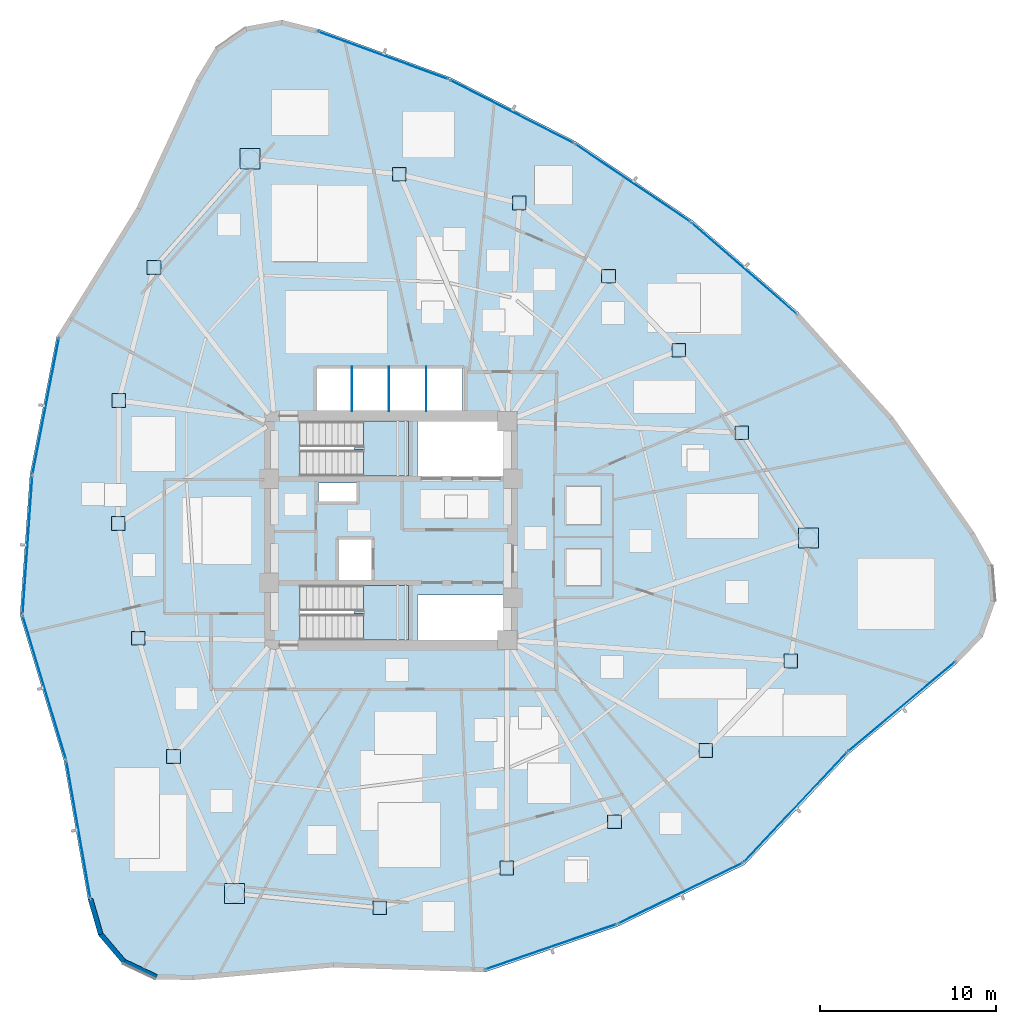
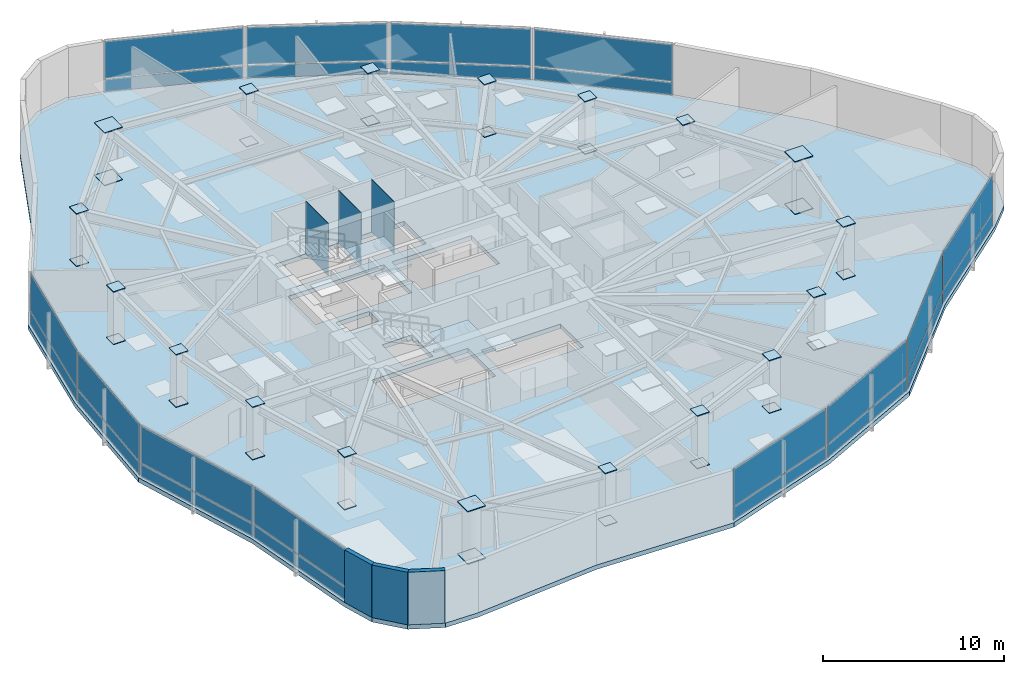
# One storey, part 10 of 17: 63 plates, 3 slabs, 3 walls, 14 elements without a shape of their own.
"""IFC4 building model written with IfcOpenShell, lengths in metres."""

from ifc_helpers import new_model, si_unit, direction, frame, frame_2d, origin, origin_2d, place, context, subcontext, project, spatial, polyline, rectangle, outline, extrude, source, transform, mapped, material, layer, layer_set, type_object, type_shapes, element, aggregate, save


model = new_model("IFC4")

# Units and contexts
model_context = context("Model", 3, precision=1e-05, world=origin(), true_north=direction((0.0, 1.0)))
body_context = subcontext(model_context, "Body", "Model", "MODEL_VIEW")
ifc_project = project(units=[si_unit("LENGTHUNIT", "METRE"), si_unit("AREAUNIT", "SQUARE_METRE"), si_unit("VOLUMEUNIT", "CUBIC_METRE"), si_unit("PLANEANGLEUNIT", "RADIAN"), si_unit("MASSUNIT", "GRAM", prefix="KILO")], contexts=[model_context])

# Site, building, storey
site_placement = place(None, origin())
site = spatial("IfcSite", under=ifc_project, at=site_placement, CompositionType="ELEMENT")
building_placement = place(site_placement, origin())
building = spatial("IfcBuilding", under=site, at=building_placement, Name="Tavelor Broadcast Tower", CompositionType="ELEMENT")
storey_placement = place(building_placement, frame((0.0, 0.0, 127.14990234375)))
storey = spatial("IfcBuildingStorey", under=building, at=storey_placement, Name="L29", CompositionType="ELEMENT", Elevation=127.14990234375)

# Stair, slab
ifc_material_1 = material(Name="Concrete C40/50", Category="concrete")
stair_type = type_object("IfcStairType", Name="Reinforced Concrete Protected Dogleg Stair 1450 mm", PredefinedType="HALF_TURN_STAIR", material=ifc_material_1)
stair_1_placement = place(storey_placement, origin())
stair_1 = element("IfcStair", 1, at=stair_1_placement, inside=storey, type_object=stair_type, Name="L29 Protected Core Exit Stair ST1", PredefinedType="HALF_TURN_STAIR")
ifc_layer_1 = layer(ifc_material_1, 0.199951171875)
ifc_layer_set_1 = layer_set([ifc_layer_1], Name="Concrete C40/50")
slab_type_1 = type_object("IfcSlabType", Name="Reinforced Concrete Stair Half-Landing Slab 200 mm", PredefinedType="LANDING", material=ifc_layer_set_1)
slab_1_placement = place(storey_placement, frame((0.0, 0.0, 1.72509765625)))
slab_1 = element("IfcSlab", 2, at=slab_1_placement, type_object=slab_type_1, Name="ST1 landing 1", PredefinedType="LANDING", context=body_context, shape_type="SweptSolid", body=[
    extrude(outline(polyline([(48.445068359375, 49.590087890625), (48.445068359375, 48.094970703125), (51.0048828125, 48.094970703125), (51.0048828125, 51.205078125), (48.445068359375, 51.205078125), (48.445068359375, 49.7099609375), (47.905029296875, 49.7099609375), (47.905029296875, 49.590087890625), (48.445068359375, 49.590087890625)])), origin(), (0.0, 0.0, 1.0), 0.199951171875),
])
aggregate(stair_1, [slab_1])

stair_2_placement = place(storey_placement, origin())
stair_2 = element("IfcStair", 3, at=stair_2_placement, inside=storey, type_object=stair_type, Name="L29 Protected Core Exit Stair ST2", PredefinedType="HALF_TURN_STAIR")
slab_2_placement = place(storey_placement, frame((0.0, 0.0, 1.72509765625)))
slab_2 = element("IfcSlab", 4, at=slab_2_placement, type_object=slab_type_1, Name="ST2 landing 1", PredefinedType="LANDING", context=body_context, shape_type="SweptSolid", body=[
    extrude(outline(polyline([(48.445068359375, 40.2900390625), (48.445068359375, 38.794921875), (51.0048828125, 38.794921875), (51.0048828125, 41.905029296875), (48.445068359375, 41.905029296875), (48.445068359375, 40.409912109375), (47.905029296875, 40.409912109375), (47.905029296875, 40.2900390625), (48.445068359375, 40.2900390625)])), origin(), (0.0, 0.0, 1.0), 0.199951171875),
])
aggregate(stair_2, [slab_2])

# Slab
ifc_layer_2 = layer(ifc_material_1, 0.300048828125)
ifc_layer_set_2 = layer_set([ifc_layer_2], Name="Concrete C40/50")
slab_type_2 = type_object("IfcSlabType", Name="Tower Composite Floor Slab 300 mm", PredefinedType="FLOOR", material=ifc_layer_set_2)
slab_3_placement = place(storey_placement, frame((0.0, 0.0, -0.2998046875)))
element("IfcSlab", 5, at=slab_3_placement, inside=storey, type_object=slab_type_2, Name="L29 Structural Floor Slab", PredefinedType="FLOOR", context=body_context, shape_type="SweptSolid", body=[
    extrude(outline(polyline([(45.8662109375, 73.4423828125), (43.82958984375, 73.9482421875), (41.765380859375, 73.5712890625), (40.039306640625, 72.378173828125), (38.956787109375, 70.580322265625), (35.596923828125, 63.334228515625), (31.056640625, 56.009033203125), (29.5361328125, 48.168212890625), (28.9755859375, 40.20068359375), (31.465087890625, 31.949951171875), (32.835205078125, 24.081298828125), (33.415283203125, 22.064697265625), (34.77392578125, 20.46533203125), (36.67041015625, 19.56689453125), (38.768310546875, 19.528564453125), (46.723388671875, 20.24169921875), (55.33740234375, 19.972412109375), (62.88818359375, 22.575927734375), (70.068603515625, 26.07421875), (75.968994140625, 32.355712890625), (82.0986328125, 37.4765625), (83.554931640625, 38.9873046875), (84.260498046875, 40.96337890625), (84.090576171875, 43.054931640625), (83.07470703125, 44.89111328125), (78.4794921875, 51.423828125), (73.12744140625, 57.3525390625), (67.09716796875, 62.58984375), (60.4775390625, 67.05908203125), (53.36572265625, 70.6943359375), (45.8662109375, 73.4423828125)]), holes=[polyline([(56.60009765625, 41.35009765625), (56.60009765625, 38.800048828125), (51.52001953125, 38.800048828125), (51.52001953125, 41.35009765625), (56.60009765625, 41.35009765625)]), polyline([(50.99609375, 38.803955078125), (44.85400390625, 38.803955078125), (44.85400390625, 41.89599609375), (50.99609375, 41.89599609375), (50.99609375, 38.803955078125)]), polyline([(47.050048828125, 42.199951171875), (47.050048828125, 44.550048828125), (48.949951171875, 44.550048828125), (48.949951171875, 42.199951171875), (47.050048828125, 42.199951171875)]), polyline([(48.050048828125, 46.64990234375), (45.89990234375, 46.64990234375), (45.89990234375, 47.699951171875), (48.050048828125, 47.699951171875), (48.050048828125, 46.64990234375)]), polyline([(50.99609375, 48.10400390625), (44.85400390625, 48.10400390625), (44.85400390625, 51.196044921875), (50.99609375, 51.196044921875), (50.99609375, 48.10400390625)]), polyline([(56.60009765625, 48.10009765625), (51.52001953125, 48.10009765625), (51.52001953125, 51.199951171875), (56.60009765625, 51.199951171875), (56.60009765625, 48.10009765625)]), polyline([(54.050048828125, 51.800048828125), (45.800048828125, 51.800048828125), (45.800048828125, 54.25), (54.050048828125, 54.25), (54.050048828125, 51.800048828125)])]), origin(), (0.0, 0.0, 1.0), 0.2998046875),
])

# Plates
ifc_material_2 = material(Name="Steel S460", Category="steel")
ifc_layer_3 = layer(ifc_material_2, 0.050048828125)
ifc_layer_set_3 = layer_set([ifc_layer_3], Name="Steel S460")
plate_type_1 = type_object("IfcPlateType", Name="Tube Hollow-End Cap Plate KN05 700x700x50", PredefinedType="USERDEFINED", material=ifc_layer_set_3)
shared_shape_1 = source(origin(), body_context, "Body", "SweptSolid", [
    extrude(rectangle(XDim=1.14697265625, YDim=1.14697265625, at=origin_2d()), origin(), (0.0, 0.0, 1.0), 0.054931640625),
])
for number, where, z_axis, x_axis, name in (
    (6, (42.01123046875, 66.080078125, -0.02734375), (0.0, 0.0, 1.0), (1.0, 0.0, 0.0), "L29 Hollow End Cap Plate KN05 #819"),
    (7, (42.01123046875, 66.080078125, 3.5224609375), (0.0, 0.0, 1.0), (1.0, 0.0, 0.0), "L29 Hollow End Cap Plate KN05 #820"),
    (8, (41.138671875, 24.423828125, -0.02734375), (0.0, 0.0, 1.0), (1.0, 0.0, 0.0), "L29 Hollow End Cap Plate KN05 #831"),
    (9, (41.138671875, 24.423828125, 3.5224609375), (0.0, 0.0, 1.0), (1.0, 0.0, 0.0), "L29 Hollow End Cap Plate KN05 #832"),
    (10, (73.676025390625, 44.57958984375, -0.02734375), (0.0, 0.0, 1.0), (1.0, 0.0, 0.0), "L29 Hollow End Cap Plate KN05 #843"),
    (11, (73.676025390625, 44.57958984375, 3.5224609375), (0.0, 0.0, 1.0), (1.0, 0.0, 0.0), "L29 Hollow End Cap Plate KN05 #844"),
):
    element("IfcPlate", number, at=place(storey_placement, frame(where, z_axis=z_axis, x_axis=x_axis)), inside=storey, type_object=plate_type_1, Name=name, ObjectType="CAP PLATE", PredefinedType="USERDEFINED", context=body_context, shape_type="MappedRepresentation", body=[
        mapped(shared_shape_1, transform((0.0, 0.0, 0.0), scale=1.0)),
    ])
shared_shape_2 = source(origin(), body_context, "Body", "SweptSolid", [
    extrude(rectangle(XDim=0.780029296875, YDim=0.780029296875, at=origin_2d()), origin(), (0.0, 0.0, 1.0), 0.054931640625),
])
type_shapes(plate_type_1, [shared_shape_1, shared_shape_2])
for number, where, z_axis, x_axis, name in (
    (12, (36.567626953125, 59.91064453125, -0.02734375), (0.0, 0.0, 1.0), (1.0, 0.0, 0.0), "L29 Hollow End Cap Plate KN05 #821"),
    (13, (36.567626953125, 59.91064453125, 3.5224609375), (0.0, 0.0, 1.0), (1.0, 0.0, 0.0), "L29 Hollow End Cap Plate KN05 #822"),
    (14, (34.5751953125, 52.37939453125, -0.02734375), (0.0, 0.0, 1.0), (1.0, 0.0, 0.0), "L29 Hollow End Cap Plate KN05 #823"),
    (15, (34.5751953125, 52.37939453125, 3.5224609375), (0.0, 0.0, 1.0), (1.0, 0.0, 0.0), "L29 Hollow End Cap Plate KN05 #824"),
    (16, (34.54638671875, 45.399169921875, -0.02734375), (0.0, 0.0, 1.0), (1.0, 0.0, 0.0), "L29 Hollow End Cap Plate KN05 #825"),
    (17, (34.54638671875, 45.399169921875, 3.5224609375), (0.0, 0.0, 1.0), (1.0, 0.0, 0.0), "L29 Hollow End Cap Plate KN05 #826"),
    (18, (35.680908203125, 38.89990234375, -0.02734375), (0.0, 0.0, 1.0), (1.0, 0.0, 0.0), "L29 Hollow End Cap Plate KN05 #827"),
    (19, (35.680908203125, 38.89990234375, 3.5224609375), (0.0, 0.0, 1.0), (1.0, 0.0, 0.0), "L29 Hollow End Cap Plate KN05 #828"),
    (20, (37.668212890625, 32.1904296875, -0.02734375), (0.0, 0.0, 1.0), (1.0, 0.0, 0.0), "L29 Hollow End Cap Plate KN05 #829"),
    (21, (37.668212890625, 32.1904296875, 3.5224609375), (0.0, 0.0, 1.0), (1.0, 0.0, 0.0), "L29 Hollow End Cap Plate KN05 #830"),
    (22, (49.366455078125, 23.618896484375, -0.02734375), (0.0, 0.0, 1.0), (1.0, 0.0, 0.0), "L29 Hollow End Cap Plate KN05 #833"),
    (23, (49.366455078125, 23.618896484375, 3.5224609375), (0.0, 0.0, 1.0), (1.0, 0.0, 0.0), "L29 Hollow End Cap Plate KN05 #834"),
    (24, (56.56103515625, 25.872802734375, -0.02734375), (0.0, 0.0, 1.0), (1.0, 0.0, 0.0), "L29 Hollow End Cap Plate KN05 #835"),
    (25, (56.56103515625, 25.872802734375, 3.5224609375), (0.0, 0.0, 1.0), (1.0, 0.0, 0.0), "L29 Hollow End Cap Plate KN05 #836"),
    (26, (62.669189453125, 28.503173828125, -0.02734375), (0.0, 0.0, 1.0), (1.0, 0.0, 0.0), "L29 Hollow End Cap Plate KN05 #837"),
    (27, (62.669189453125, 28.503173828125, 3.5224609375), (0.0, 0.0, 1.0), (1.0, 0.0, 0.0), "L29 Hollow End Cap Plate KN05 #838"),
    (28, (67.84228515625, 32.53173828125, -0.02734375), (0.0, 0.0, 1.0), (1.0, 0.0, 0.0), "L29 Hollow End Cap Plate KN05 #839"),
    (29, (67.84228515625, 32.53173828125, 3.5224609375), (0.0, 0.0, 1.0), (1.0, 0.0, 0.0), "L29 Hollow End Cap Plate KN05 #840"),
    (30, (72.6591796875, 37.607421875, -0.02734375), (0.0, 0.0, 1.0), (1.0, 0.0, 0.0), "L29 Hollow End Cap Plate KN05 #841"),
    (31, (72.6591796875, 37.607421875, 3.5224609375), (0.0, 0.0, 1.0), (1.0, 0.0, 0.0), "L29 Hollow End Cap Plate KN05 #842"),
    (32, (69.885986328125, 50.544189453125, -0.02734375), (0.0, 0.0, 1.0), (1.0, 0.0, 0.0), "L29 Hollow End Cap Plate KN05 #845"),
    (33, (69.885986328125, 50.544189453125, 3.5224609375), (0.0, 0.0, 1.0), (1.0, 0.0, 0.0), "L29 Hollow End Cap Plate KN05 #846"),
    (34, (66.322021484375, 55.228759765625, -0.02734375), (0.0, 0.0, 1.0), (1.0, 0.0, 0.0), "L29 Hollow End Cap Plate KN05 #847"),
    (35, (66.322021484375, 55.228759765625, 3.5224609375), (0.0, 0.0, 1.0), (1.0, 0.0, 0.0), "L29 Hollow End Cap Plate KN05 #848"),
    (36, (62.330810546875, 59.416259765625, -0.02734375), (0.0, 0.0, 1.0), (1.0, 0.0, 0.0), "L29 Hollow End Cap Plate KN05 #849"),
    (37, (62.330810546875, 59.416259765625, 3.5224609375), (0.0, 0.0, 1.0), (1.0, 0.0, 0.0), "L29 Hollow End Cap Plate KN05 #850"),
    (38, (57.276611328125, 63.568359375, -0.02734375), (0.0, 0.0, 1.0), (1.0, 0.0, 0.0), "L29 Hollow End Cap Plate KN05 #851"),
    (39, (57.276611328125, 63.568359375, 3.5224609375), (0.0, 0.0, 1.0), (1.0, 0.0, 0.0), "L29 Hollow End Cap Plate KN05 #852"),
    (40, (50.472412109375, 65.2021484375, -0.02734375), (0.0, 0.0, 1.0), (1.0, 0.0, 0.0), "L29 Hollow End Cap Plate KN05 #853"),
    (41, (50.472412109375, 65.2021484375, 3.5224609375), (0.0, 0.0, 1.0), (1.0, 0.0, 0.0), "L29 Hollow End Cap Plate KN05 #854"),
):
    element("IfcPlate", number, at=place(storey_placement, frame(where, z_axis=z_axis, x_axis=x_axis)), inside=storey, type_object=plate_type_1, Name=name, ObjectType="CAP PLATE", PredefinedType="USERDEFINED", context=body_context, shape_type="MappedRepresentation", body=[
        mapped(shared_shape_2, transform((0.0, 0.0, 0.0), scale=1.0)),
    ])
ifc_material_3 = material(Name="Steel S355", Category="steel")
ifc_layer_4 = layer(ifc_material_3, 0.011962890625)
ifc_layer_set_4 = layer_set([ifc_layer_4], Name="Steel S355")
plate_type_2 = type_object("IfcPlateType", Name="Hoistway Steel Separator Screen 12 mm", PredefinedType="SHEET", material=ifc_layer_set_4)
shared_shape_3 = source(origin(), body_context, "Body", "SweptSolid", [
    extrude(rectangle(XDim=0.02001953125, YDim=2.52001953125, at=origin_2d()), origin(), (0.0, 0.0, 1.0), 3.550048828125),
])
type_shapes(plate_type_2, [shared_shape_3])
for number, where, z_axis, x_axis, name in (
    (42, (47.800048828125, 53.0400390625, 0.0), (0.0, 0.0, 1.0), (1.0, 0.0, 0.0), "L29 High-Rise Hoistway Separator Screen 1"),
    (43, (49.89990234375, 53.0400390625, 0.0), (0.0, 0.0, 1.0), (1.0, 0.0, 0.0), "L29 High-Rise Hoistway Separator Screen 2"),
    (44, (52.0, 53.0400390625, 0.0), (0.0, 0.0, 1.0), (1.0, 0.0, 0.0), "L29 High-Rise Hoistway Separator Screen 3"),
):
    element("IfcPlate", number, at=place(storey_placement, frame(where, z_axis=z_axis, x_axis=x_axis)), inside=storey, type_object=plate_type_2, Name=name, PredefinedType="SHEET", context=body_context, shape_type="MappedRepresentation", body=[
        mapped(shared_shape_3, transform((0.0, 0.0, 0.0), scale=1.0)),
    ])

# Curtain wall, plates
ifc_material_4 = material(Name="Architectural Anodized Aluminium", Category="aluminium")
ifc_layer_5 = layer(ifc_material_4, 0.18994140625)
ifc_layer_set_5 = layer_set([ifc_layer_5], Name="Architectural Anodized Aluminium")
curtain_wall_type = type_object("IfcCurtainWallType", Name="Tower Mid-Zone Acoustic Curtain Wall CW03", PredefinedType="NOTDEFINED", material=ifc_layer_set_5)
curtain_wall_1_placement = place(storey_placement, origin())
curtain_wall_1 = element("IfcCurtainWall", 45, at=curtain_wall_1_placement, inside=storey, type_object=curtain_wall_type, Name="L29 Curtain Wall CW03 Run 296", PredefinedType="NOTDEFINED")
ifc_material_5 = material(Name="Solar Control Double Glazing 30 mm", Category="glass")
ifc_layer_6 = layer(ifc_material_5, 0.030029296875)
ifc_layer_set_6 = layer_set([ifc_layer_6], Name="Solar Control Double Glazing 30 mm")
plate_type_3 = type_object("IfcPlateType", Name="CW03 Insulated Vision Glazing Panel 30 mm", PredefinedType="CURTAIN_PANEL", material=ifc_layer_set_6)
shared_shape_4 = source(origin(), body_context, "Body", "SweptSolid", [
    extrude(rectangle(XDim=7.8369140625, YDim=0.030029296875, at=origin_2d()), origin(), (0.0, 0.0, 1.0), 0.847900390625),
])
plate_1_placement = place(storey_placement, frame((78.943603515625, 35.023193359375, 0.068359375), z_axis=(0.0, 0.0, 1.0), x_axis=(0.767420843378, 0.641143703976, 0.0)))
plate_1 = element("IfcPlate", 46, at=plate_1_placement, type_object=plate_type_3, Name="CW03 panel 1.1", PredefinedType="CURTAIN_PANEL", context=body_context, shape_type="MappedRepresentation", body=[
    mapped(shared_shape_4, transform((0.0, 0.0, 0.0), scale=1.0)),
])
shared_shape_5 = source(origin(), body_context, "Body", "SweptSolid", [
    extrude(rectangle(XDim=7.8369140625, YDim=0.030029296875, at=origin_2d()), origin(), (0.0, 0.0, 1.0), 2.498046875),
])
plate_2_placement = place(storey_placement, frame((78.943603515625, 35.023193359375, 0.984130859375), z_axis=(0.0, 0.0, 1.0), x_axis=(0.767420843378, 0.641143703976, 0.0)))
plate_2 = element("IfcPlate", 47, at=plate_2_placement, type_object=plate_type_3, Name="CW03 panel 1.2", PredefinedType="CURTAIN_PANEL", context=body_context, shape_type="MappedRepresentation", body=[
    mapped(shared_shape_5, transform((0.0, 0.0, 0.0), scale=1.0)),
])
aggregate(curtain_wall_1, [plate_1, plate_2])

# Curtain wall, plate
curtain_wall_2_placement = place(storey_placement, origin())
curtain_wall_2 = element("IfcCurtainWall", 48, at=curtain_wall_2_placement, inside=storey, type_object=curtain_wall_type, Name="L29 Curtain Wall CW03 Run 289", PredefinedType="NOTDEFINED")
shared_shape_6 = source(origin(), body_context, "Body", "SweptSolid", [
    extrude(rectangle(XDim=7.8017578125, YDim=0.030029296875, at=origin_2d()), origin(), (0.0, 0.0, 1.0), 0.847900390625),
])
plate_3_placement = place(storey_placement, frame((30.43359375, 52.060791015625, 0.068359375), z_axis=(0.0, 0.0, 1.0), x_axis=(-0.190378348072, -0.981710794779, 0.0)))
plate_3 = element("IfcPlate", 49, at=plate_3_placement, type_object=plate_type_3, Name="CW03 panel 1.1", PredefinedType="CURTAIN_PANEL", context=body_context, shape_type="MappedRepresentation", body=[
    mapped(shared_shape_6, transform((0.0, 0.0, 0.0), scale=1.0)),
])

curtain_wall_3_placement = place(storey_placement, origin())
curtain_wall_3 = element("IfcCurtainWall", 50, at=curtain_wall_3_placement, inside=storey, type_object=curtain_wall_type, Name="L29 Curtain Wall CW03 Run 293", PredefinedType="NOTDEFINED")
plate_4_placement = place(storey_placement, frame((59.068359375, 21.406982421875, 0.068359375), z_axis=(0.0, 0.0, 1.0), x_axis=(0.945375123657, 0.325984471365, 0.0)))
plate_4 = element("IfcPlate", 51, at=plate_4_placement, type_object=plate_type_3, Name="CW03 panel 1.1", PredefinedType="CURTAIN_PANEL", context=body_context, shape_type="MappedRepresentation", body=[
    mapped(shared_shape_6, transform((0.0, 0.0, 0.0), scale=1.0)),
])

# Plate
shared_shape_7 = source(origin(), body_context, "Body", "SweptSolid", [
    extrude(rectangle(XDim=7.8017578125, YDim=0.030029296875, at=origin_2d()), origin(), (0.0, 0.0, 1.0), 2.498046875),
])
plate_5_placement = place(storey_placement, frame((30.43359375, 52.060791015625, 0.984130859375), z_axis=(0.0, 0.0, 1.0), x_axis=(-0.190378348072, -0.981710794779, 0.0)))
plate_5 = element("IfcPlate", 52, at=plate_5_placement, type_object=plate_type_3, Name="CW03 panel 1.2", PredefinedType="CURTAIN_PANEL", context=body_context, shape_type="MappedRepresentation", body=[
    mapped(shared_shape_7, transform((0.0, 0.0, 0.0), scale=1.0)),
])

aggregate(curtain_wall_2, [plate_3, plate_5])

plate_6_placement = place(storey_placement, frame((59.068359375, 21.406982421875, 0.984130859375), z_axis=(0.0, 0.0, 1.0), x_axis=(0.945375123657, 0.325984471365, 0.0)))
plate_6 = element("IfcPlate", 53, at=plate_6_placement, type_object=plate_type_3, Name="CW03 panel 1.2", PredefinedType="CURTAIN_PANEL", context=body_context, shape_type="MappedRepresentation", body=[
    mapped(shared_shape_7, transform((0.0, 0.0, 0.0), scale=1.0)),
])

aggregate(curtain_wall_3, [plate_4, plate_6])

# Curtain wall, plate
curtain_wall_4_placement = place(storey_placement, origin())
curtain_wall_4 = element("IfcCurtainWall", 54, at=curtain_wall_4_placement, inside=storey, type_object=curtain_wall_type, Name="L29 Curtain Wall CW03 Run 290", PredefinedType="NOTDEFINED")
shared_shape_8 = source(origin(), body_context, "Body", "SweptSolid", [
    extrude(rectangle(XDim=7.786865234375, YDim=0.030029296875, at=origin_2d()), origin(), (0.0, 0.0, 1.0), 0.847900390625),
])
plate_7_placement = place(storey_placement, frame((29.39599609375, 44.18310546875, 0.068359375), z_axis=(0.0, 0.0, 1.0), x_axis=(-0.070189475033, -0.997533677424, 0.0)))
plate_7 = element("IfcPlate", 55, at=plate_7_placement, type_object=plate_type_3, Name="CW03 panel 1.1", PredefinedType="CURTAIN_PANEL", context=body_context, shape_type="MappedRepresentation", body=[
    mapped(shared_shape_8, transform((0.0, 0.0, 0.0), scale=1.0)),
])

curtain_wall_5_placement = place(storey_placement, origin())
curtain_wall_5 = element("IfcCurtainWall", 56, at=curtain_wall_5_placement, inside=storey, type_object=curtain_wall_type, Name="L29 Curtain Wall CW03 Run 294", PredefinedType="NOTDEFINED")
plate_8_placement = place(storey_placement, frame((66.409423828125, 24.447265625, 0.068359375), z_axis=(0.0, 0.0, 1.0), x_axis=(0.898989104293, 0.437970992604, 0.0)))
plate_8 = element("IfcPlate", 57, at=plate_8_placement, type_object=plate_type_3, Name="CW03 panel 1.1", PredefinedType="CURTAIN_PANEL", context=body_context, shape_type="MappedRepresentation", body=[
    mapped(shared_shape_8, transform((0.0, 0.0, 0.0), scale=1.0)),
])

# Plate
shared_shape_9 = source(origin(), body_context, "Body", "SweptSolid", [
    extrude(rectangle(XDim=7.786865234375, YDim=0.030029296875, at=origin_2d()), origin(), (0.0, 0.0, 1.0), 2.498046875),
])
plate_9_placement = place(storey_placement, frame((29.39599609375, 44.18310546875, 0.984130859375), z_axis=(0.0, 0.0, 1.0), x_axis=(-0.070189475033, -0.997533677424, 0.0)))
plate_9 = element("IfcPlate", 58, at=plate_9_placement, type_object=plate_type_3, Name="CW03 panel 1.2", PredefinedType="CURTAIN_PANEL", context=body_context, shape_type="MappedRepresentation", body=[
    mapped(shared_shape_9, transform((0.0, 0.0, 0.0), scale=1.0)),
])

aggregate(curtain_wall_4, [plate_7, plate_9])

plate_10_placement = place(storey_placement, frame((66.409423828125, 24.447265625, 0.984130859375), z_axis=(0.0, 0.0, 1.0), x_axis=(0.898989104293, 0.437970992604, 0.0)))
plate_10 = element("IfcPlate", 59, at=plate_10_placement, type_object=plate_type_3, Name="CW03 panel 1.2", PredefinedType="CURTAIN_PANEL", context=body_context, shape_type="MappedRepresentation", body=[
    mapped(shared_shape_9, transform((0.0, 0.0, 0.0), scale=1.0)),
])

aggregate(curtain_wall_5, [plate_8, plate_10])

# Curtain wall, plate
curtain_wall_6_placement = place(storey_placement, origin())
curtain_wall_6 = element("IfcCurtainWall", 60, at=curtain_wall_6_placement, inside=storey, type_object=curtain_wall_type, Name="L29 Curtain Wall CW03 Run 291", PredefinedType="NOTDEFINED")
shared_shape_10 = source(origin(), body_context, "Body", "SweptSolid", [
    extrude(rectangle(XDim=8.43505859375, YDim=0.030029296875, at=origin_2d()), origin(), (0.0, 0.0, 1.0), 0.847900390625),
])
plate_11_placement = place(storey_placement, frame((30.359375, 36.099365234375, 0.068359375), z_axis=(0.0, 0.0, 1.0), x_axis=(0.288880311737, -0.957365220535, 0.0)))
plate_11 = element("IfcPlate", 61, at=plate_11_placement, type_object=plate_type_3, Name="CW03 panel 1.1", PredefinedType="CURTAIN_PANEL", context=body_context, shape_type="MappedRepresentation", body=[
    mapped(shared_shape_10, transform((0.0, 0.0, 0.0), scale=1.0)),
])

curtain_wall_7_placement = place(storey_placement, origin())
curtain_wall_7 = element("IfcCurtainWall", 62, at=curtain_wall_7_placement, inside=storey, type_object=curtain_wall_type, Name="L29 Curtain Wall CW03 Run 295", PredefinedType="NOTDEFINED")
plate_12_placement = place(storey_placement, frame((72.928466796875, 29.3232421875, 0.068359375), z_axis=(0.0, 0.0, 1.0), x_axis=(0.684657619105, 0.728864832875, 0.0)))
plate_12 = element("IfcPlate", 63, at=plate_12_placement, type_object=plate_type_3, Name="CW03 panel 1.1", PredefinedType="CURTAIN_PANEL", context=body_context, shape_type="MappedRepresentation", body=[
    mapped(shared_shape_10, transform((0.0, 0.0, 0.0), scale=1.0)),
])

# Plate
shared_shape_11 = source(origin(), body_context, "Body", "SweptSolid", [
    extrude(rectangle(XDim=8.43505859375, YDim=0.030029296875, at=origin_2d()), origin(), (0.0, 0.0, 1.0), 2.498046875),
])
plate_13_placement = place(storey_placement, frame((30.359375, 36.099365234375, 0.984130859375), z_axis=(0.0, 0.0, 1.0), x_axis=(0.288880311737, -0.957365220535, 0.0)))
plate_13 = element("IfcPlate", 64, at=plate_13_placement, type_object=plate_type_3, Name="CW03 panel 1.2", PredefinedType="CURTAIN_PANEL", context=body_context, shape_type="MappedRepresentation", body=[
    mapped(shared_shape_11, transform((0.0, 0.0, 0.0), scale=1.0)),
])

aggregate(curtain_wall_6, [plate_11, plate_13])

plate_14_placement = place(storey_placement, frame((72.928466796875, 29.3232421875, 0.984130859375), z_axis=(0.0, 0.0, 1.0), x_axis=(0.684657619105, 0.728864832875, 0.0)))
plate_14 = element("IfcPlate", 65, at=plate_14_placement, type_object=plate_type_3, Name="CW03 panel 1.2", PredefinedType="CURTAIN_PANEL", context=body_context, shape_type="MappedRepresentation", body=[
    mapped(shared_shape_11, transform((0.0, 0.0, 0.0), scale=1.0)),
])

aggregate(curtain_wall_7, [plate_12, plate_14])

# Curtain wall, plates
curtain_wall_8_placement = place(storey_placement, origin())
curtain_wall_8 = element("IfcCurtainWall", 66, at=curtain_wall_8_placement, inside=storey, type_object=curtain_wall_type, Name="L29 Curtain Wall CW03 Run 292", PredefinedType="NOTDEFINED")
shared_shape_12 = source(origin(), body_context, "Body", "SweptSolid", [
    extrude(rectangle(XDim=7.837158203125, YDim=0.030029296875, at=origin_2d()), origin(), (0.0, 0.0, 1.0), 0.847900390625),
])
plate_15_placement = place(storey_placement, frame((32.2880859375, 28.0400390625, 0.068359375), z_axis=(0.0, 0.0, 1.0), x_axis=(0.171527487042, -0.985179334532, 0.0)))
plate_15 = element("IfcPlate", 67, at=plate_15_placement, type_object=plate_type_3, Name="CW03 panel 1.1", PredefinedType="CURTAIN_PANEL", context=body_context, shape_type="MappedRepresentation", body=[
    mapped(shared_shape_12, transform((0.0, 0.0, 0.0), scale=1.0)),
])
shared_shape_13 = source(origin(), body_context, "Body", "SweptSolid", [
    extrude(rectangle(XDim=7.837158203125, YDim=0.030029296875, at=origin_2d()), origin(), (0.0, 0.0, 1.0), 2.498046875),
])
plate_16_placement = place(storey_placement, frame((32.2880859375, 28.0400390625, 0.984130859375), z_axis=(0.0, 0.0, 1.0), x_axis=(0.171527487042, -0.985179334532, 0.0)))
plate_16 = element("IfcPlate", 68, at=plate_16_placement, type_object=plate_type_3, Name="CW03 panel 1.2", PredefinedType="CURTAIN_PANEL", context=body_context, shape_type="MappedRepresentation", body=[
    mapped(shared_shape_13, transform((0.0, 0.0, 0.0), scale=1.0)),
])
aggregate(curtain_wall_8, [plate_15, plate_16])

curtain_wall_9_placement = place(storey_placement, origin())
curtain_wall_9 = element("IfcCurtainWall", 69, at=curtain_wall_9_placement, inside=storey, type_object=curtain_wall_type, Name="L29 Curtain Wall CW03 Run 297", PredefinedType="NOTDEFINED")
shared_shape_14 = source(origin(), body_context, "Body", "SweptSolid", [
    extrude(rectangle(XDim=7.819091796875, YDim=0.030029296875, at=origin_2d()), origin(), (0.0, 0.0, 1.0), 0.847900390625),
])
plate_17_placement = place(storey_placement, frame((70.026123046875, 59.860595703125, 0.068359375), z_axis=(0.0, 0.0, 1.0), x_axis=(-0.754997251863, 0.655727954017, 0.0)))
plate_17 = element("IfcPlate", 70, at=plate_17_placement, type_object=plate_type_3, Name="CW03 panel 1.1", PredefinedType="CURTAIN_PANEL", context=body_context, shape_type="MappedRepresentation", body=[
    mapped(shared_shape_14, transform((0.0, 0.0, 0.0), scale=1.0)),
])
shared_shape_15 = source(origin(), body_context, "Body", "SweptSolid", [
    extrude(rectangle(XDim=7.819091796875, YDim=0.030029296875, at=origin_2d()), origin(), (0.0, 0.0, 1.0), 2.498046875),
])
plate_18_placement = place(storey_placement, frame((70.026123046875, 59.860595703125, 0.984130859375), z_axis=(0.0, 0.0, 1.0), x_axis=(-0.754997251863, 0.655727954017, 0.0)))
plate_18 = element("IfcPlate", 71, at=plate_18_placement, type_object=plate_type_3, Name="CW03 panel 1.2", PredefinedType="CURTAIN_PANEL", context=body_context, shape_type="MappedRepresentation", body=[
    mapped(shared_shape_15, transform((0.0, 0.0, 0.0), scale=1.0)),
])
aggregate(curtain_wall_9, [plate_17, plate_18])

# Curtain wall, plate
curtain_wall_10_placement = place(storey_placement, origin())
curtain_wall_10 = element("IfcCurtainWall", 72, at=curtain_wall_10_placement, inside=storey, type_object=curtain_wall_type, Name="L29 Curtain Wall CW03 Run 298", PredefinedType="NOTDEFINED")
shared_shape_16 = source(origin(), body_context, "Body", "SweptSolid", [
    extrude(rectangle(XDim=7.80419921875, YDim=0.030029296875, at=origin_2d()), origin(), (0.0, 0.0, 1.0), 0.847900390625),
])
plate_19_placement = place(storey_placement, frame((63.708984375, 64.70849609375, 0.068359375), z_axis=(0.0, 0.0, 1.0), x_axis=(-0.828798445392, 0.559547260663, 0.0)))
plate_19 = element("IfcPlate", 73, at=plate_19_placement, type_object=plate_type_3, Name="CW03 panel 1.1", PredefinedType="CURTAIN_PANEL", context=body_context, shape_type="MappedRepresentation", body=[
    mapped(shared_shape_16, transform((0.0, 0.0, 0.0), scale=1.0)),
])

curtain_wall_11_placement = place(storey_placement, origin())
curtain_wall_11 = element("IfcCurtainWall", 74, at=curtain_wall_11_placement, inside=storey, type_object=curtain_wall_type, Name="L29 Curtain Wall CW03 Run 299", PredefinedType="NOTDEFINED")
plate_20_placement = place(storey_placement, frame((56.85791015625, 68.751953125, 0.068359375), z_axis=(0.0, 0.0, 1.0), x_axis=(-0.890417101783, 0.455145454611, 0.0)))
plate_20 = element("IfcPlate", 75, at=plate_20_placement, type_object=plate_type_3, Name="CW03 panel 1.1", PredefinedType="CURTAIN_PANEL", context=body_context, shape_type="MappedRepresentation", body=[
    mapped(shared_shape_16, transform((0.0, 0.0, 0.0), scale=1.0)),
])

# Plate
shared_shape_17 = source(origin(), body_context, "Body", "SweptSolid", [
    extrude(rectangle(XDim=7.80419921875, YDim=0.030029296875, at=origin_2d()), origin(), (0.0, 0.0, 1.0), 2.498046875),
])
plate_21_placement = place(storey_placement, frame((63.708984375, 64.70849609375, 0.984130859375), z_axis=(0.0, 0.0, 1.0), x_axis=(-0.828798445392, 0.559547260663, 0.0)))
plate_21 = element("IfcPlate", 76, at=plate_21_placement, type_object=plate_type_3, Name="CW03 panel 1.2", PredefinedType="CURTAIN_PANEL", context=body_context, shape_type="MappedRepresentation", body=[
    mapped(shared_shape_17, transform((0.0, 0.0, 0.0), scale=1.0)),
])

aggregate(curtain_wall_10, [plate_19, plate_21])

plate_22_placement = place(storey_placement, frame((56.85791015625, 68.751953125, 0.984130859375), z_axis=(0.0, 0.0, 1.0), x_axis=(-0.890417101783, 0.455145454611, 0.0)))
plate_22 = element("IfcPlate", 77, at=plate_22_placement, type_object=plate_type_3, Name="CW03 panel 1.2", PredefinedType="CURTAIN_PANEL", context=body_context, shape_type="MappedRepresentation", body=[
    mapped(shared_shape_17, transform((0.0, 0.0, 0.0), scale=1.0)),
])

aggregate(curtain_wall_11, [plate_20, plate_22])

# Curtain wall, plates
curtain_wall_12_placement = place(storey_placement, origin())
curtain_wall_12 = element("IfcCurtainWall", 78, at=curtain_wall_12_placement, inside=storey, type_object=curtain_wall_type, Name="L29 Curtain Wall CW03 Run 300", PredefinedType="NOTDEFINED")
shared_shape_18 = source(origin(), body_context, "Body", "SweptSolid", [
    extrude(rectangle(XDim=7.820068359375, YDim=0.030029296875, at=origin_2d()), origin(), (0.0, 0.0, 1.0), 0.847900390625),
])
plate_23_placement = place(storey_placement, frame((49.560302734375, 71.939697265625, 0.068359375), z_axis=(0.0, 0.0, 1.0), x_axis=(-0.938955373704, 0.344038960283, 0.0)))
plate_23 = element("IfcPlate", 79, at=plate_23_placement, type_object=plate_type_3, Name="CW03 panel 1.1", PredefinedType="CURTAIN_PANEL", context=body_context, shape_type="MappedRepresentation", body=[
    mapped(shared_shape_18, transform((0.0, 0.0, 0.0), scale=1.0)),
])
shared_shape_19 = source(origin(), body_context, "Body", "SweptSolid", [
    extrude(rectangle(XDim=7.820068359375, YDim=0.030029296875, at=origin_2d()), origin(), (0.0, 0.0, 1.0), 2.498046875),
])
type_shapes(plate_type_3, [shared_shape_4, shared_shape_5, shared_shape_6, shared_shape_7, shared_shape_8, shared_shape_9, shared_shape_10, shared_shape_11, shared_shape_12, shared_shape_13, shared_shape_14, shared_shape_15, shared_shape_16, shared_shape_17, shared_shape_18, shared_shape_19])
plate_24_placement = place(storey_placement, frame((49.560302734375, 71.939697265625, 0.984130859375), z_axis=(0.0, 0.0, 1.0), x_axis=(-0.938955373704, 0.344038960283, 0.0)))
plate_24 = element("IfcPlate", 80, at=plate_24_placement, type_object=plate_type_3, Name="CW03 panel 1.2", PredefinedType="CURTAIN_PANEL", context=body_context, shape_type="MappedRepresentation", body=[
    mapped(shared_shape_19, transform((0.0, 0.0, 0.0), scale=1.0)),
])
aggregate(curtain_wall_12, [plate_23, plate_24])

# Walls
ifc_material_6 = material(Name="Precast Concrete C40/50", Category="concrete")
ifc_layer_7 = layer(ifc_material_6, 0.280029296875)
ifc_layer_set_7 = layer_set([ifc_layer_7], Name="Precast Concrete C40/50")
wall_type = type_object("IfcWallType", Name="Insulated Precast Terracotta Facade Wall 280 mm", PredefinedType="STANDARD", material=ifc_layer_set_7)
wall_1_placement = place(storey_placement, frame((32.970703125, 24.116455078125, 0.0), z_axis=(0.0, 0.0, 1.0), x_axis=(0.276472784699, -0.961021747579, 0.0)))
element("IfcWall", 81, at=wall_1_placement, inside=storey, type_object=wall_type, Name="L29 Rounded Corner Structural Cladding Pier 11", PredefinedType="STANDARD", context=body_context, shape_type="SweptSolid", body=[
    extrude(rectangle(XDim=2.07958984375, YDim=0.280029296875, at=frame_2d((1.039794921875, 0.0))), origin(), (0.0, 0.0, 1.0), 3.550048828125),
])
wall_2_placement = place(storey_placement, frame((33.53173828125, 22.143798828125, 0.0), z_axis=(0.0, 0.0, 1.0), x_axis=(0.647470223072, -0.762090749344, 0.0)))
element("IfcWall", 82, at=wall_2_placement, inside=storey, type_object=wall_type, Name="L29 Rounded Corner Structural Cladding Pier 12", PredefinedType="STANDARD", context=body_context, shape_type="SweptSolid", body=[
    extrude(rectangle(XDim=2.068115234375, YDim=0.280029296875, at=frame_2d((1.0341796875, 0.0))), origin(), (0.0, 0.0, 1.0), 3.550048828125),
])
wall_3_placement = place(storey_placement, frame((34.847412109375, 20.58544921875, 0.0), z_axis=(0.0, 0.0, 1.0), x_axis=(0.903716205928, -0.428132011351, 0.0)))
element("IfcWall", 83, at=wall_3_placement, inside=storey, type_object=wall_type, Name="L29 Rounded Corner Structural Cladding Pier 13", PredefinedType="STANDARD", context=body_context, shape_type="SweptSolid", body=[
    extrude(rectangle(XDim=2.068359375, YDim=0.280029296875, at=frame_2d((1.0341796875, 0.0))), origin(), (0.0, 0.0, 1.0), 3.550048828125),
])

save(model, "model.ifc")
